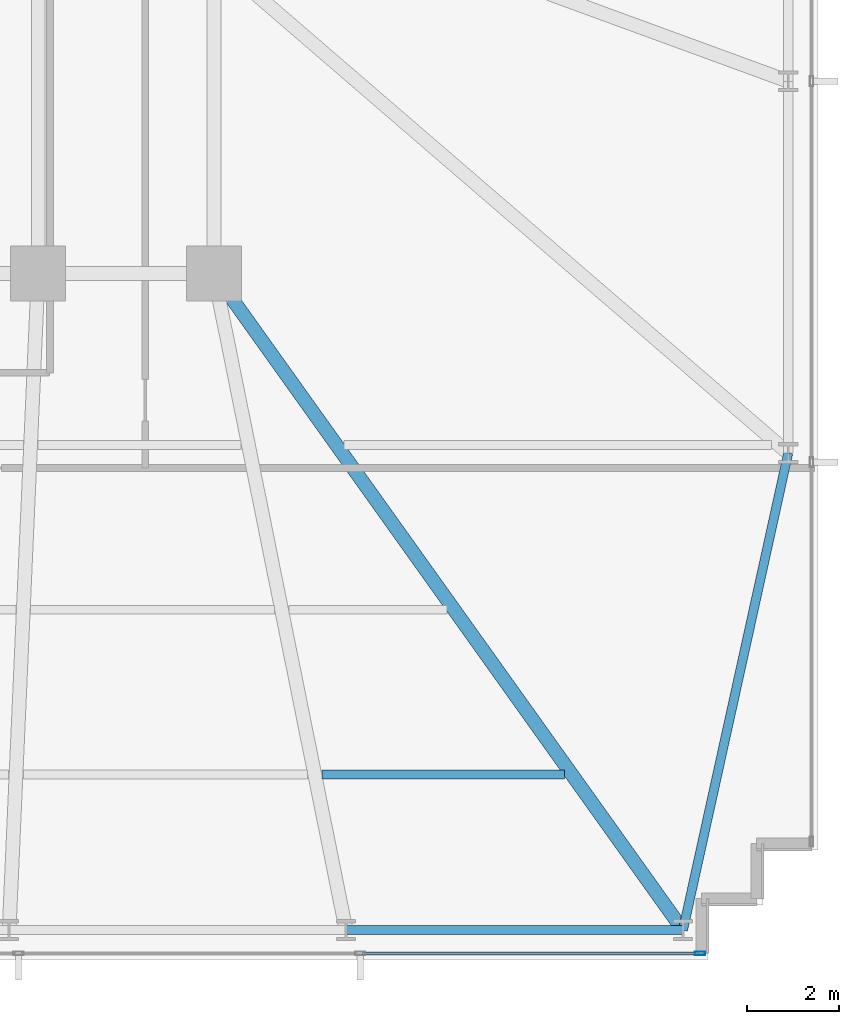
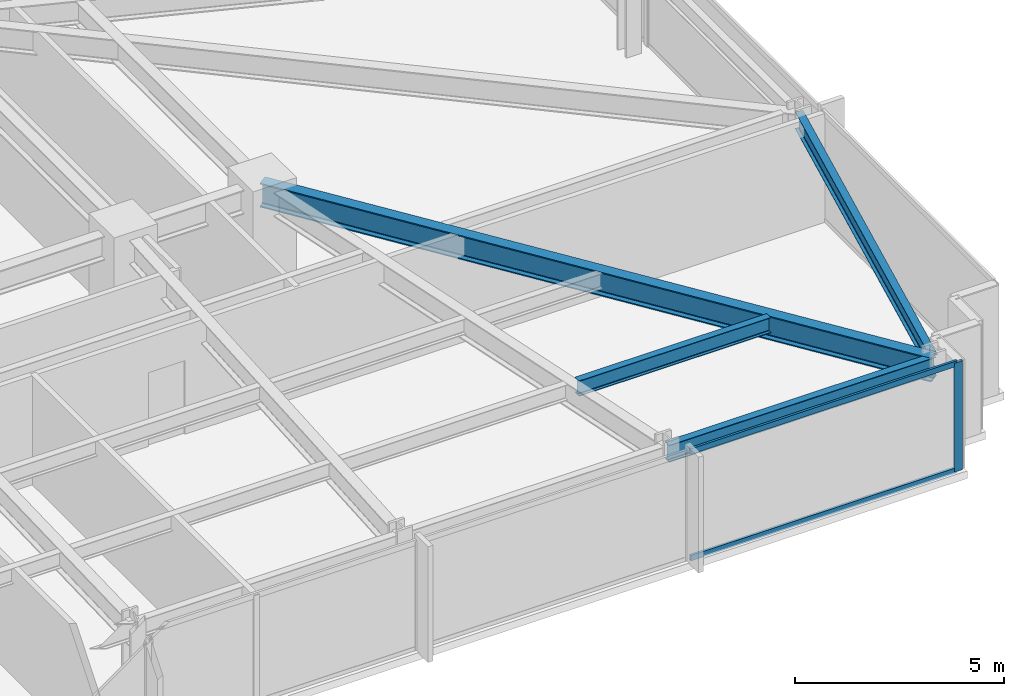
# One storey, part 15 of 33: 4 beams, 3 members, 1 element without a shape of its own.
"""IFC4 building model written with IfcOpenShell, lengths in metres."""

from ifc_helpers import new_model, si_unit, direction, frame, origin, origin_2d, place, context, subcontext, project, spatial, hollow_rectangle, i_section, extrude, material, material_profile, profile_set, type_object, element, aggregate, save


model = new_model("IFC4")

# Units and contexts
model_context = context("Model", 3, precision=1e-05, world=origin(), true_north=direction((0.0, 1.0)))
body_context = subcontext(model_context, "Body", "Model", "MODEL_VIEW")
ifc_project = project(units=[si_unit("LENGTHUNIT", "METRE"), si_unit("AREAUNIT", "SQUARE_METRE"), si_unit("VOLUMEUNIT", "CUBIC_METRE"), si_unit("PLANEANGLEUNIT", "RADIAN"), si_unit("MASSUNIT", "GRAM", prefix="KILO")], contexts=[model_context])

# Site, building, storey
site_placement = place(None, origin())
site = spatial("IfcSite", under=ifc_project, at=site_placement, CompositionType="ELEMENT")
building_placement = place(site_placement, origin())
building = spatial("IfcBuilding", under=site, at=building_placement, Name="Yelkora Congress Tower", CompositionType="ELEMENT")
storey_placement = place(building_placement, frame((0.0, 0.0, 37.199951171875)))
storey = spatial("IfcBuildingStorey", under=building, at=storey_placement, Name="L08", CompositionType="ELEMENT", Elevation=37.199951171875)

# Beams
ifc_material_1 = material(Name="Steel S355J2", Category="steel")
ifc_material_profile_1 = material_profile(ifc_material_1, i_section(OverallWidth=0.300048828125, OverallDepth=0.699951171875, WebThickness=0.01708984375, FlangeThickness=0.031982421875, FilletRadius=0.027099609375, at=origin_2d()), Name="HEB 700")
ifc_profile_set_1 = profile_set([ifc_material_profile_1], Name="Steel S355J2")
beam_type_1 = type_object("IfcBeamType", Name="BM-GIRD-HEB700", PredefinedType="BEAM", material=ifc_profile_set_1)
beam_1_placement = place(storey_placement, frame((67.85009765625, 10.85009765625, 2.830078125), z_axis=(-0.581242122521, 0.813730664906, 0.0), x_axis=(-0.813730664906, -0.581242122521, 0.0)))
element("IfcBeam", 1, at=beam_1_placement, inside=storey, type_object=beam_type_1, Name="L08 Primary Frame Girder S09", PredefinedType="BEAM", context=body_context, shape_type="SweptSolid", body=[
    extrude(i_section(OverallWidth=0.300048828125, OverallDepth=0.699951171875, WebThickness=0.01708984375, FlangeThickness=0.031982421875, FilletRadius=0.027099609375, at=origin_2d()), origin(), (0.0, 0.0, 1.0), 17.634765625),
])
ifc_material_profile_2 = material_profile(ifc_material_1, i_section(OverallWidth=0.18994140625, OverallDepth=0.449951171875, WebThickness=0.009521484375, FlangeThickness=0.0146484375, FilletRadius=0.02099609375, at=origin_2d()), Name="IPE 450")
ifc_profile_set_2 = profile_set([ifc_material_profile_2], Name="Steel S355J2")
beam_type_2 = type_object("IfcBeamType", Name="BM-JOIST-IPE450", PredefinedType="JOIST", material=ifc_profile_set_2)
beam_2_placement = place(storey_placement, frame((59.96337890625, 14.25, 2.955078125), z_axis=(1.0, 0.0, 0.0), x_axis=(0.0, 1.0, 0.0)))
element("IfcBeam", 2, at=beam_2_placement, inside=storey, type_object=beam_type_2, Name="L08 Composite Floor Joist 8", PredefinedType="JOIST", context=body_context, shape_type="SweptSolid", body=[
    extrude(i_section(OverallWidth=0.18994140625, OverallDepth=0.449951171875, WebThickness=0.009521484375, FlangeThickness=0.0146484375, FilletRadius=0.02099609375, at=origin_2d()), origin(), (0.0, 0.0, 1.0), 5.298095703125),
])
ifc_material_profile_3 = material_profile(ifc_material_1, i_section(OverallWidth=0.199951171875, OverallDepth=0.5, WebThickness=0.01025390625, FlangeThickness=0.01611328125, FilletRadius=0.02099609375, at=origin_2d()), Name="IPE 500")
ifc_profile_set_3 = profile_set([ifc_material_profile_3], Name="Steel S355J2")
beam_type_3 = type_object("IfcBeamType", Name="BM-SPAN-IPE500", PredefinedType="SPANDREL", material=ifc_profile_set_3)
beam_3_placement = place(storey_placement, frame((60.487548828125, 10.85009765625, 2.929931640625), z_axis=(1.0, 0.0, 0.0), x_axis=(0.0, 1.0, 0.0)))
element("IfcBeam", 3, at=beam_3_placement, inside=storey, type_object=beam_type_3, Name="L08 Perimeter Beam 9", PredefinedType="SPANDREL", context=body_context, shape_type="SweptSolid", body=[
    extrude(i_section(OverallWidth=0.199951171875, OverallDepth=0.5, WebThickness=0.01025390625, FlangeThickness=0.01611328125, FilletRadius=0.02099609375, at=origin_2d()), origin(), (0.0, 0.0, 1.0), 7.362548828125),
])
beam_4_placement = place(storey_placement, frame((67.85009765625, 10.85009765625, 2.929931640625), z_axis=(0.215428898349, 0.97651952861, 0.0), x_axis=(-0.97651952861, 0.215428898349, 0.0)))
element("IfcBeam", 4, at=beam_4_placement, inside=storey, type_object=beam_type_3, Name="L08 Perimeter Beam 10", PredefinedType="SPANDREL", context=body_context, shape_type="SweptSolid", body=[
    extrude(i_section(OverallWidth=0.199951171875, OverallDepth=0.5, WebThickness=0.01025390625, FlangeThickness=0.01611328125, FilletRadius=0.02099609375, at=origin_2d()), origin(), (0.0, 0.0, 1.0), 10.675537109375),
])

# Curtain wall, members
ifc_material_2 = material(Name="Anodised aluminium and insulated glass", Category="aluminium")
curtain_wall_type = type_object("IfcCurtainWallType", Name="CW-SYS-B1", PredefinedType="NOTDEFINED", material=ifc_material_2)
curtain_wall_placement = place(storey_placement, origin())
curtain_wall = element("IfcCurtainWall", 5, at=curtain_wall_placement, inside=storey, type_object=curtain_wall_type, Name="L08 Unitised Curtain Wall 20", PredefinedType="NOTDEFINED")
ifc_material_3 = material(Name="Anodised aluminium 6063-T6", Category="aluminium")
ifc_material_profile_4 = material_profile(ifc_material_3, hollow_rectangle(XDim=0.074951171875, YDim=0.219970703125, WallThickness=0.0048828125, at=origin_2d()), Name="ALU 75x220x5")
ifc_profile_set_4 = profile_set([ifc_material_profile_4], Name="Anodised aluminium 6063-T6")
member_type_1 = type_object("IfcMemberType", Name="MEM-ML-B1", PredefinedType="MULLION", material=ifc_profile_set_4)
member_1_placement = place(storey_placement, frame((68.222412109375, 10.340087890625, 0.0), z_axis=(0.0, 0.0, 1.0), x_axis=(0.0, -1.0, 0.0)))
member_1 = element("IfcMember", 6, at=member_1_placement, type_object=member_type_1, Name="CW-B1 mullion 1", PredefinedType="MULLION", context=body_context, shape_type="SweptSolid", body=[
    extrude(hollow_rectangle(XDim=0.074951171875, YDim=0.219970703125, WallThickness=0.0048828125, at=origin_2d()), origin(), (0.0, 0.0, 1.0), 3.179931640625),
])
ifc_material_profile_5 = material_profile(ifc_material_3, hollow_rectangle(XDim=0.06494140625, YDim=0.159912109375, WallThickness=0.00390625, at=origin_2d()), Name="ALU 65x160x4")
ifc_profile_set_5 = profile_set([ifc_material_profile_5], Name="Anodised aluminium 6063-T6")
member_type_2 = type_object("IfcMemberType", Name="MEM-TR-B1", PredefinedType="USERDEFINED", material=ifc_profile_set_5)
member_2_placement = place(storey_placement, frame((68.18505859375, 10.340087890625, 0.032470703125), z_axis=(-1.0, 0.0, 0.0), x_axis=(0.0, -1.0, 0.0)))
member_2 = element("IfcMember", 7, at=member_2_placement, type_object=member_type_2, Name="CW-B1 transom 1.1", ObjectType="TRANSOM", PredefinedType="USERDEFINED", context=body_context, shape_type="SweptSolid", body=[
    extrude(hollow_rectangle(XDim=0.06494140625, YDim=0.159912109375, WallThickness=0.00390625, at=origin_2d()), origin(), (0.0, 0.0, 1.0), 7.3525390625),
])
member_3_placement = place(storey_placement, frame((68.18505859375, 10.340087890625, 3.1474609375), z_axis=(-1.0, 0.0, 0.0), x_axis=(0.0, -1.0, 0.0)))
member_3 = element("IfcMember", 8, at=member_3_placement, type_object=member_type_2, Name="CW-B1 transom 1.2", ObjectType="TRANSOM", PredefinedType="USERDEFINED", context=body_context, shape_type="SweptSolid", body=[
    extrude(hollow_rectangle(XDim=0.06494140625, YDim=0.159912109375, WallThickness=0.00390625, at=origin_2d()), origin(), (0.0, 0.0, 1.0), 7.3525390625),
])
aggregate(curtain_wall, [member_1, member_2, member_3])

save(model, "model.ifc")
